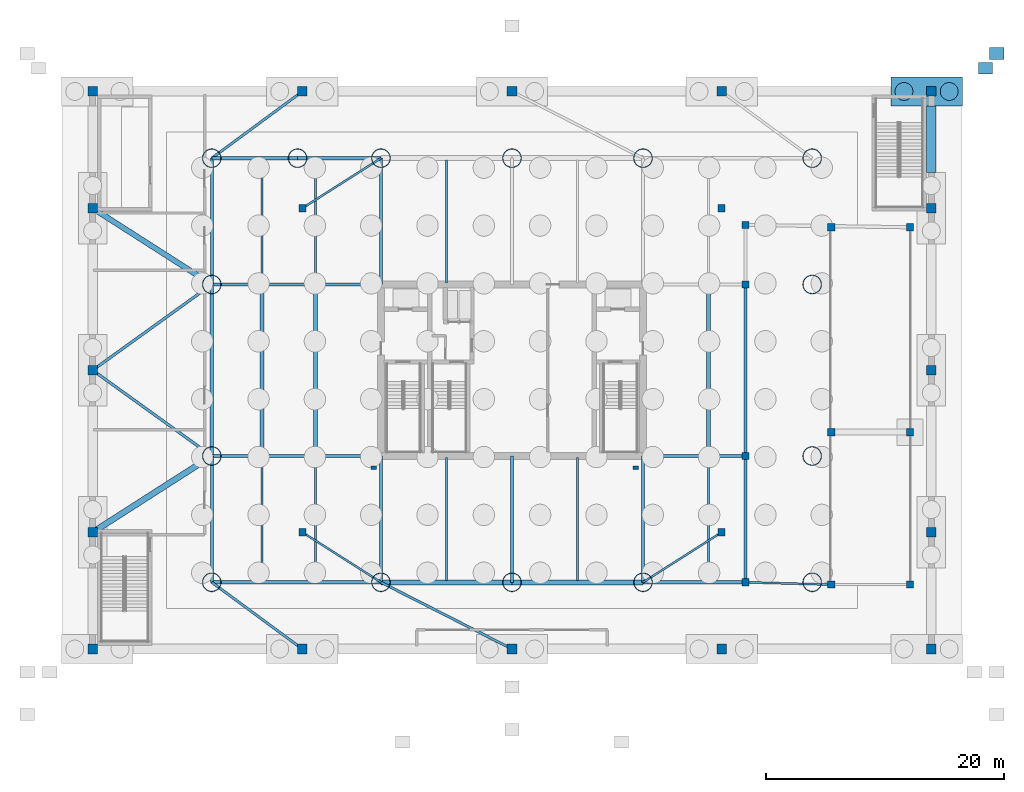
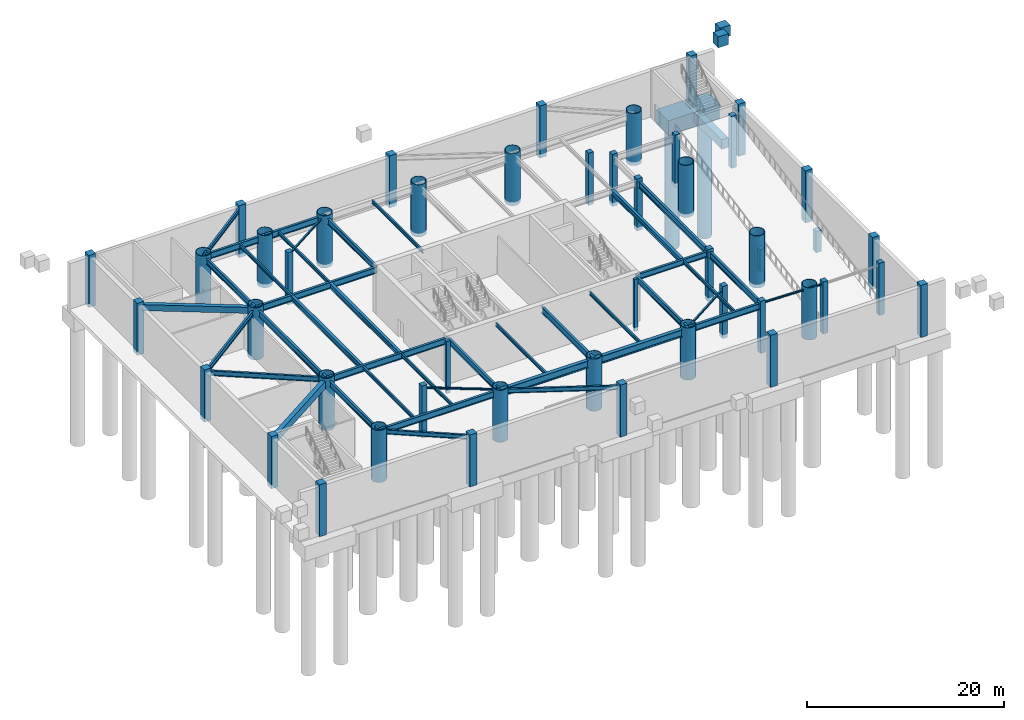
# One storey, part 2 of 12: 47 columns, 40 beams, 4 footings, 2 piles.
"""IFC4 building model written with IfcOpenShell, lengths in metres."""

from ifc_helpers import new_model, si_unit, direction, frame, origin, origin_2d, place, context, subcontext, project, spatial, polyline, rectangle, circle, hollow_circle, i_section, outline, extrude, material, layer, layer_set, material_profile, profile_set, type_object, element, save


model = new_model("IFC4")

# Units and contexts
model_context = context("Model", 3, precision=1e-05, world=origin(), true_north=direction((0.0, 1.0)))
body_context = subcontext(model_context, "Body", "Model", "MODEL_VIEW")
ifc_project = project(units=[si_unit("LENGTHUNIT", "METRE"), si_unit("AREAUNIT", "SQUARE_METRE"), si_unit("VOLUMEUNIT", "CUBIC_METRE"), si_unit("PLANEANGLEUNIT", "RADIAN"), si_unit("MASSUNIT", "GRAM", prefix="KILO")], contexts=[model_context])

# Site, building, storey
site_placement = place(None, origin())
site = spatial("IfcSite", under=ifc_project, at=site_placement, CompositionType="ELEMENT")
building_placement = place(site_placement, origin())
building = spatial("IfcBuilding", under=site, at=building_placement, Name="Bramvorn Convention Spire", CompositionType="ELEMENT")
storey_placement = place(building_placement, frame((0.0, 0.0, -6.0)))
storey = spatial("IfcBuildingStorey", under=building, at=storey_placement, Name="B1", CompositionType="ELEMENT", Elevation=-6.0)

# Footings
ifc_material_1 = material(Name="Concrete C40/50 Frost Apron Foundation", Category="concrete")
ifc_layer_1 = layer(ifc_material_1, 1.35009765625)
ifc_layer_set_1 = layer_set([ifc_layer_1], Name="Concrete C40/50 Frost Apron Foundation - FTG-APRON-FROST")
footing_type_1 = type_object("IfcFootingType", Name="FTG-APRON-FROST", PredefinedType="PAD_FOOTING", material=ifc_layer_set_1)
for number, where, z_axis, x_axis, name in (
    (1, (78.699951171875, 52.60009765625, 4.39990234375), (0.0, 0.0, 1.0), (1.0, 0.0, 0.0), "Exterior entrance apron frost pier 2.2"),
    (2, (77.75, 51.35009765625, 4.39990234375), (0.0, 0.0, 1.0), (1.0, 0.0, 0.0), "Exterior entrance apron frost pier 4.3"),
):
    element("IfcFooting", number, at=place(storey_placement, frame(where, z_axis=z_axis, x_axis=x_axis)), inside=storey, type_object=footing_type_1, Name=name, PredefinedType="PAD_FOOTING", context=body_context, shape_type="SweptSolid", body=[
        extrude(rectangle(XDim=1.199951171875, YDim=1.0, at=origin_2d()), origin(), (0.0, 0.0, 1.0), 1.35009765625),
    ])
ifc_material_2 = material(Name="Concrete C60/70", Category="concrete")
ifc_layer_2 = layer(ifc_material_2, 1.199951171875)
ifc_layer_set_2 = layer_set([ifc_layer_2], Name="Concrete C60/70 - FTG-GBEAM-800X1200")
footing_type_2 = type_object("IfcFootingType", Name="FTG-GBEAM-800X1200", PredefinedType="FOOTING_BEAM", material=ifc_layer_set_2)
footing_1_placement = place(storey_placement, frame((0.0, 0.0, -1.64990234375)))
element("IfcFooting", 3, at=footing_1_placement, inside=storey, type_object=footing_type_2, Name="Perimeter frost-depth grade beam GB-08", PredefinedType="FOOTING_BEAM", context=body_context, shape_type="SweptSolid", body=[
    extrude(outline(polyline([(72.800048828125, 42.60009765625), (73.60009765625, 42.60009765625), (73.60009765625, 48.199951171875), (72.800048828125, 48.199951171875), (72.800048828125, 42.60009765625)])), origin(), (0.0, 0.0, 1.0), 1.199951171875),
])
ifc_layer_3 = layer(ifc_material_2, 1.800048828125)
ifc_layer_set_3 = layer_set([ifc_layer_3], Name="Concrete C60/70 - FTG-PCAP-EW-1800")
footing_type_3 = type_object("IfcFootingType", Name="FTG-PCAP-EW-1800", PredefinedType="PILE_CAP", material=ifc_layer_set_3)
footing_2_placement = place(storey_placement, frame((72.800048828125, 49.39990234375, -2.25), z_axis=(0.0, 0.0, 1.0), x_axis=(1.0, 0.0, 0.0)))
element("IfcFooting", 4, at=footing_2_placement, inside=storey, type_object=footing_type_3, Name="Podium two-caisson cap PC10", PredefinedType="PILE_CAP", context=body_context, shape_type="SweptSolid", body=[
    extrude(rectangle(XDim=6.0, YDim=2.39990234375, at=origin_2d()), origin(), (0.0, 0.0, 1.0), 1.800048828125),
])

# Piles
ifc_material_profile_1 = material_profile(ifc_material_2, circle(Radius=0.75, at=origin_2d()))
ifc_profile_set_1 = profile_set([ifc_material_profile_1], Name="Concrete C60/70 - CAISSON1500")
pile_type = type_object("IfcPileType", Name="PILE-CAISSON-1500", PredefinedType="BORED", material=ifc_profile_set_1)
for number, where, z_axis, x_axis, name in (
    (5, (70.89990234375, 49.39990234375, -2.10009765625), (0.0, 0.0, -1.0), (1.0, 0.0, 0.0), "Podium rock-socketed caisson PC10-1"),
    (6, (74.699951171875, 49.39990234375, -2.10009765625), (0.0, 0.0, -1.0), (1.0, 0.0, 0.0), "Podium rock-socketed caisson PC10-2"),
):
    element("IfcPile", number, at=place(storey_placement, frame(where, z_axis=z_axis, x_axis=x_axis)), inside=storey, type_object=pile_type, Name=name, PredefinedType="BORED", context=body_context, shape_type="SweptSolid", body=[
        extrude(circle(Radius=0.75, at=origin_2d()), origin(), (0.0, 0.0, 1.0), 14.89990234375),
    ])

# Columns
ifc_material_3 = material(Name="Steel CSA G40.21 Grade 350 (350W)", Category="steel")
ifc_material_profile_2 = material_profile(ifc_material_3, hollow_circle(Radius=0.800048828125, WallThickness=0.06005859375, at=origin_2d()))
ifc_profile_set_2 = profile_set([ifc_material_profile_2], Name="Steel CSA G40.21 Grade 350 (350W) - CFT1600X60")
column_type_1 = type_object("IfcColumnType", Name="COL-CFT1600X60", PredefinedType="COLUMN", material=ifc_profile_set_2)
for number, where, z_axis, x_axis, name in (
    (7, (12.800048828125, 8.199951171875, -0.449951171875), (0.0, 0.0, 1.0), (1.0, 0.0, 0.0), "B1 podium transfer mega-column PR01"),
    (8, (27.0, 8.199951171875, -0.449951171875), (0.0, 0.0, 1.0), (1.0, 0.0, 0.0), "B1 podium transfer mega-column PR02"),
    (9, (38.0, 8.199951171875, -0.449951171875), (0.0, 0.0, 1.0), (1.0, 0.0, 0.0), "B1 podium transfer mega-column PR13"),
    (10, (49.0, 8.199951171875, -0.449951171875), (0.0, 0.0, 1.0), (1.0, 0.0, 0.0), "B1 podium transfer mega-column PR03"),
    (11, (63.199951171875, 8.199951171875, -0.449951171875), (0.0, 0.0, 1.0), (1.0, 0.0, 0.0), "B1 podium transfer mega-column PR04"),
    (12, (12.800048828125, 18.800048828125, -0.449951171875), (0.0, 0.0, 1.0), (1.0, 0.0, 0.0), "B1 podium transfer mega-column PR05"),
    (13, (63.199951171875, 18.800048828125, -0.449951171875), (0.0, 0.0, 1.0), (1.0, 0.0, 0.0), "B1 podium transfer mega-column PR06"),
    (14, (12.800048828125, 33.199951171875, -0.449951171875), (0.0, 0.0, 1.0), (1.0, 0.0, 0.0), "B1 podium transfer mega-column PR07"),
    (15, (63.199951171875, 33.199951171875, -0.449951171875), (0.0, 0.0, 1.0), (1.0, 0.0, 0.0), "B1 podium transfer mega-column PR08"),
    (16, (12.800048828125, 43.800048828125, -0.449951171875), (0.0, 0.0, 1.0), (1.0, 0.0, 0.0), "B1 podium transfer mega-column PR09"),
    (17, (20.0, 43.800048828125, -0.449951171875), (0.0, 0.0, 1.0), (1.0, 0.0, 0.0), "B1 podium transfer mega-column PR15"),
    (18, (27.0, 43.800048828125, -0.449951171875), (0.0, 0.0, 1.0), (1.0, 0.0, 0.0), "B1 podium transfer mega-column PR10"),
    (19, (38.0, 43.800048828125, -0.449951171875), (0.0, 0.0, 1.0), (1.0, 0.0, 0.0), "B1 podium transfer mega-column PR14"),
    (20, (49.0, 43.800048828125, -0.449951171875), (0.0, 0.0, 1.0), (1.0, 0.0, 0.0), "B1 podium transfer mega-column PR11"),
    (21, (63.199951171875, 43.800048828125, -0.449951171875), (0.0, 0.0, 1.0), (1.0, 0.0, 0.0), "B1 podium transfer mega-column PR12"),
):
    element("IfcColumn", number, at=place(storey_placement, frame(where, z_axis=z_axis, x_axis=x_axis)), inside=storey, type_object=column_type_1, Name=name, PredefinedType="COLUMN", context=body_context, shape_type="SweptSolid", body=[
        extrude(hollow_circle(Radius=0.800048828125, WallThickness=0.06005859375, at=origin_2d()), origin(), (0.0, 0.0, 1.0), 6.449951171875),
    ])
ifc_material_4 = material(Name="Concrete C40/50 Precast Limestone Pilaster", Category="masonry")
ifc_material_profile_3 = material_profile(ifc_material_4, rectangle(XDim=0.449951171875, YDim=0.300048828125, at=origin_2d()))
ifc_profile_set_3 = profile_set([ifc_material_profile_3], Name="Concrete C40/50 Precast Limestone Pilaster - PILASTER450X300")
column_type_2 = type_object("IfcColumnType", Name="COL-PILASTER-450", PredefinedType="PILASTER", material=ifc_profile_set_3)
for number, where, z_axis, x_axis, name in (
    (22, (26.39990234375, 17.800048828125, -0.449951171875), (0.0, 0.0, 1.0), (1.0, 0.0, 0.0), "B1 pilaster foundation base 1"),
    (23, (48.39990234375, 17.800048828125, -0.449951171875), (0.0, 0.0, 1.0), (1.0, 0.0, 0.0), "B1 pilaster foundation base 2"),
):
    element("IfcColumn", number, at=place(storey_placement, frame(where, z_axis=z_axis, x_axis=x_axis)), inside=storey, type_object=column_type_2, Name=name, PredefinedType="PILASTER", context=body_context, shape_type="SweptSolid", body=[
        extrude(rectangle(XDim=0.449951171875, YDim=0.300048828125, at=origin_2d()), origin(), (0.0, 0.0, 1.0), 6.449951171875),
    ])
ifc_material_profile_4 = material_profile(ifc_material_2, rectangle(XDim=0.60009765625, YDim=0.60009765625, at=origin_2d()))
ifc_profile_set_4 = profile_set([ifc_material_profile_4], Name="Concrete C60/70 - RC600X600")
column_type_3 = type_object("IfcColumnType", Name="COL-RC600X600", PredefinedType="COLUMN", material=ifc_profile_set_4)
for number, where, z_axis, x_axis, name in (
    (24, (57.60009765625, 8.199951171875, -0.449951171875), (0.0, 0.0, 1.0), (1.0, 0.0, 0.0), "B1 ramp support column 1"),
    (25, (57.60009765625, 18.800048828125, -0.449951171875), (0.0, 0.0, 1.0), (1.0, 0.0, 0.0), "B1 ramp support column 2"),
    (26, (57.60009765625, 33.199951171875, -0.449951171875), (0.0, 0.0, 1.0), (1.0, 0.0, 0.0), "B1 ramp support column 3"),
    (27, (57.60009765625, 38.199951171875, -0.449951171875), (0.0, 0.0, 1.0), (1.0, 0.0, 0.0), "B1 ramp support column 4"),
    (28, (64.800048828125, 8.0, -0.449951171875), (0.0, 0.0, 1.0), (1.0, 0.0, 0.0), "B1 ramp support column 5"),
    (29, (71.39990234375, 8.0, -0.449951171875), (0.0, 0.0, 1.0), (1.0, 0.0, 0.0), "B1 ramp support column 6"),
    (30, (64.800048828125, 38.0, -0.449951171875), (0.0, 0.0, 1.0), (1.0, 0.0, 0.0), "B1 ramp support column 7"),
    (31, (71.39990234375, 38.0, -0.449951171875), (0.0, 0.0, 1.0), (1.0, 0.0, 0.0), "B1 ramp support column 8"),
    (32, (20.39990234375, 12.39990234375, -0.449951171875), (0.0, 0.0, 1.0), (1.0, 0.0, 0.0), "B1 auxiliary structural column CP-B1-1"),
    (33, (55.60009765625, 12.39990234375, -0.449951171875), (0.0, 0.0, 1.0), (1.0, 0.0, 0.0), "B1 auxiliary structural column CP-B1-2"),
    (34, (20.39990234375, 39.60009765625, -0.449951171875), (0.0, 0.0, 1.0), (1.0, 0.0, 0.0), "B1 auxiliary structural column CP-B1-3"),
    (35, (55.60009765625, 39.60009765625, -0.449951171875), (0.0, 0.0, 1.0), (1.0, 0.0, 0.0), "B1 auxiliary structural column CP-B1-4"),
):
    element("IfcColumn", number, at=place(storey_placement, frame(where, z_axis=z_axis, x_axis=x_axis)), inside=storey, type_object=column_type_3, Name=name, PredefinedType="COLUMN", context=body_context, shape_type="SweptSolid", body=[
        extrude(rectangle(XDim=0.60009765625, YDim=0.60009765625, at=origin_2d()), origin(), (0.0, 0.0, 1.0), 6.449951171875),
    ])
for number, where, z_axis, x_axis, name in (
    (36, (64.800048828125, 20.800048828125, -0.449951171875), (0.0, 0.0, 1.0), (1.0, 0.0, 0.0), "B1 vehicle ramp midspan west column"),
    (37, (71.39990234375, 20.800048828125, -0.449951171875), (0.0, 0.0, 1.0), (1.0, 0.0, 0.0), "B1 vehicle ramp midspan east column"),
):
    element("IfcColumn", number, at=place(storey_placement, frame(where, z_axis=z_axis, x_axis=x_axis)), inside=storey, type_object=column_type_3, Name=name, PredefinedType="COLUMN", context=body_context, shape_type="SweptSolid", body=[
        extrude(rectangle(XDim=0.60009765625, YDim=0.60009765625, at=origin_2d()), origin(), (0.0, 0.0, 1.0), 2.659912109375),
    ])
ifc_material_profile_5 = material_profile(ifc_material_2, rectangle(XDim=0.800048828125, YDim=0.800048828125, at=origin_2d()))
ifc_profile_set_5 = profile_set([ifc_material_profile_5], Name="Concrete C60/70 - RC800X800")
column_type_4 = type_object("IfcColumnType", Name="COL-RC800X800", PredefinedType="COLUMN", material=ifc_profile_set_5)
for number, where, z_axis, x_axis, name in (
    (38, (2.800048828125, 2.60009765625, -0.449951171875), (0.0, 0.0, 1.0), (1.0, 0.0, 0.0), "B1 podium perimeter column PC01"),
    (39, (2.800048828125, 12.39990234375, -0.449951171875), (0.0, 0.0, 1.0), (1.0, 0.0, 0.0), "B1 podium perimeter column PC02"),
    (40, (2.800048828125, 26.0, -0.449951171875), (0.0, 0.0, 1.0), (1.0, 0.0, 0.0), "B1 podium perimeter column PC03"),
    (41, (2.800048828125, 39.60009765625, -0.449951171875), (0.0, 0.0, 1.0), (1.0, 0.0, 0.0), "B1 podium perimeter column PC04"),
    (42, (2.800048828125, 49.39990234375, -0.449951171875), (0.0, 0.0, 1.0), (1.0, 0.0, 0.0), "B1 podium perimeter column PC05"),
    (43, (73.199951171875, 2.60009765625, -0.449951171875), (0.0, 0.0, 1.0), (1.0, 0.0, 0.0), "B1 podium perimeter column PC06"),
    (44, (73.199951171875, 12.39990234375, -0.449951171875), (0.0, 0.0, 1.0), (1.0, 0.0, 0.0), "B1 podium perimeter column PC07"),
    (45, (73.199951171875, 26.0, -0.449951171875), (0.0, 0.0, 1.0), (1.0, 0.0, 0.0), "B1 podium perimeter column PC08"),
    (46, (73.199951171875, 39.60009765625, -0.449951171875), (0.0, 0.0, 1.0), (1.0, 0.0, 0.0), "B1 podium perimeter column PC09"),
    (47, (73.199951171875, 49.39990234375, -0.449951171875), (0.0, 0.0, 1.0), (1.0, 0.0, 0.0), "B1 podium perimeter column PC10"),
    (48, (20.39990234375, 2.60009765625, -0.449951171875), (0.0, 0.0, 1.0), (1.0, 0.0, 0.0), "B1 podium perimeter column PC11"),
    (49, (38.0, 2.60009765625, -0.449951171875), (0.0, 0.0, 1.0), (1.0, 0.0, 0.0), "B1 podium perimeter column PC12"),
    (50, (55.60009765625, 2.60009765625, -0.449951171875), (0.0, 0.0, 1.0), (1.0, 0.0, 0.0), "B1 podium perimeter column PC13"),
    (51, (20.39990234375, 49.39990234375, -0.449951171875), (0.0, 0.0, 1.0), (1.0, 0.0, 0.0), "B1 podium perimeter column PC14"),
    (52, (38.0, 49.39990234375, -0.449951171875), (0.0, 0.0, 1.0), (1.0, 0.0, 0.0), "B1 podium perimeter column PC15"),
    (53, (55.60009765625, 49.39990234375, -0.449951171875), (0.0, 0.0, 1.0), (1.0, 0.0, 0.0), "B1 podium perimeter column PC16"),
):
    element("IfcColumn", number, at=place(storey_placement, frame(where, z_axis=z_axis, x_axis=x_axis)), inside=storey, type_object=column_type_4, Name=name, PredefinedType="COLUMN", context=body_context, shape_type="SweptSolid", body=[
        extrude(rectangle(XDim=0.800048828125, YDim=0.800048828125, at=origin_2d()), origin(), (0.0, 0.0, 1.0), 6.449951171875),
    ])

# Beams
ifc_material_5 = material(Name="Concrete C50/60", Category="concrete")
ifc_material_profile_6 = material_profile(ifc_material_5, rectangle(XDim=0.449951171875, YDim=0.75, at=origin_2d()))
ifc_profile_set_6 = profile_set([ifc_material_profile_6], Name="Concrete C50/60 - RC450X750")
beam_type_1 = type_object("IfcBeamType", Name="BM-RC450X750", PredefinedType="BEAM", material=ifc_profile_set_6)
beam_1_placement = place(storey_placement, frame((2.800048828125, 39.60009765625, 5.27490234375), z_axis=(0.842265798855, -0.539062449145, 0.0), x_axis=(0.539062449145, 0.842265798855, 0.0)))
element("IfcBeam", 54, at=beam_1_placement, inside=storey, type_object=beam_type_1, Name="B1 reinforced concrete marshalling tie beam 2", PredefinedType="BEAM", context=body_context, shape_type="SweptSolid", body=[
    extrude(rectangle(XDim=0.449951171875, YDim=0.75, at=origin_2d()), origin(), (0.0, 0.0, 1.0), 11.872802734375),
])
ifc_material_profile_7 = material_profile(ifc_material_5, rectangle(XDim=0.5, YDim=0.89990234375, at=origin_2d()))
ifc_profile_set_7 = profile_set([ifc_material_profile_7], Name="Concrete C50/60 - RC500X900")
beam_type_2 = type_object("IfcBeamType", Name="BM-RC500X900", PredefinedType="BEAM", material=ifc_profile_set_7)
beam_2_placement = place(storey_placement, frame((2.800048828125, 12.39990234375, 5.199951171875), z_axis=(0.842265798855, 0.539062449145, 0.0), x_axis=(-0.539062449145, 0.842265798855, 0.0)))
element("IfcBeam", 55, at=beam_2_placement, inside=storey, type_object=beam_type_2, Name="B1 reinforced concrete marshalling tie beam 1", PredefinedType="BEAM", context=body_context, shape_type="SweptSolid", body=[
    extrude(rectangle(XDim=0.5, YDim=0.89990234375, at=origin_2d()), origin(), (0.0, 0.0, 1.0), 11.872802734375),
])
ifc_material_profile_8 = material_profile(ifc_material_3, i_section(OverallWidth=0.1650390625, OverallDepth=0.200927734375, WebThickness=0.006103515625, FlangeThickness=0.01025390625, FilletRadius=0.010009765625, at=origin_2d()))
ifc_profile_set_8 = profile_set([ifc_material_profile_8], Name="Steel CSA G40.21 Grade 350 (350W) - W200X36")
beam_type_3 = type_object("IfcBeamType", Name="BM-W200X36", PredefinedType="LINTEL", material=ifc_profile_set_8)
beam_3_placement = place(storey_placement, frame((57.60009765625, 8.199951171875, 5.549560546875), z_axis=(0.999614603568, -0.027760481514, 0.0), x_axis=(0.027760481514, 0.999614603568, 0.0)))
element("IfcBeam", 56, at=beam_3_placement, inside=storey, type_object=beam_type_3, Name="B1 equipment bay header lintel 2", PredefinedType="LINTEL", context=body_context, shape_type="SweptSolid", body=[
    extrude(i_section(OverallWidth=0.1650390625, OverallDepth=0.200927734375, WebThickness=0.006103515625, FlangeThickness=0.01025390625, FilletRadius=0.010009765625, at=origin_2d()), origin(), (0.0, 0.0, 1.0), 7.20263671875),
])
for number, where, z_axis, x_axis, name in (
    (57, (20.39990234375, 12.39990234375, 5.549560546875), (0.843667912778, -0.536865395558, 0.0), (0.536865395558, 0.843667912778, 0.0), "B1 equipment bay header lintel 3"),
    (58, (49.0, 8.199951171875, 5.549560546875), (0.843667912778, 0.536865395558, 0.0), (-0.536865395558, 0.843667912778, 0.0), "B1 equipment bay header lintel 4"),
    (59, (20.39990234375, 39.60009765625, 5.549560546875), (0.843667912778, 0.536865395558, 0.0), (-0.536865395558, 0.843667912778, 0.0), "B1 equipment bay header lintel 5"),
):
    element("IfcBeam", number, at=place(storey_placement, frame(where, z_axis=z_axis, x_axis=x_axis)), inside=storey, type_object=beam_type_3, Name=name, PredefinedType="LINTEL", context=body_context, shape_type="SweptSolid", body=[
        extrude(i_section(OverallWidth=0.1650390625, OverallDepth=0.200927734375, WebThickness=0.006103515625, FlangeThickness=0.01025390625, FilletRadius=0.010009765625, at=origin_2d()), origin(), (0.0, 0.0, 1.0), 7.822998046875),
    ])
ifc_material_profile_9 = material_profile(ifc_material_3, i_section(OverallWidth=0.180908203125, OverallDepth=0.4169921875, WebThickness=0.010986328125, FlangeThickness=0.018310546875, FilletRadius=0.01611328125, at=origin_2d()))
ifc_profile_set_9 = profile_set([ifc_material_profile_9], Name="Steel CSA G40.21 Grade 350 (350W) - W410X85")
beam_type_4 = type_object("IfcBeamType", Name="BM-W410X85", PredefinedType="JOIST", material=ifc_profile_set_9)
for number, where, z_axis, x_axis, name in (
    (60, (17.0, 8.340087890625, 5.44140625), (0.0, 1.0, 0.0), (-1.0, 0.0, 0.0), "B1 side hall joist S-1"),
    (61, (17.0, 33.340087890625, 5.44140625), (0.0, 1.0, 0.0), (-1.0, 0.0, 0.0), "B1 side hall joist N-1"),
    (62, (21.5, 8.340087890625, 5.44140625), (0.0, 1.0, 0.0), (-1.0, 0.0, 0.0), "B1 side hall joist S-2"),
    (63, (21.5, 33.340087890625, 5.44140625), (0.0, 1.0, 0.0), (-1.0, 0.0, 0.0), "B1 side hall joist N-2"),
    (64, (32.5, 8.340087890625, 5.44140625), (0.0, 1.0, 0.0), (-1.0, 0.0, 0.0), "B1 south hall composite joist 3"),
    (65, (32.5, 33.340087890625, 5.44140625), (0.0, 1.0, 0.0), (-1.0, 0.0, 0.0), "B1 north hall composite joist 3"),
    (66, (43.5, 8.340087890625, 5.44140625), (0.0, 1.0, 0.0), (-1.0, 0.0, 0.0), "B1 south hall composite joist 4"),
    (67, (54.5, 8.340087890625, 5.44140625), (0.0, 1.0, 0.0), (-1.0, 0.0, 0.0), "B1 side hall joist S-5"),
):
    element("IfcBeam", number, at=place(storey_placement, frame(where, z_axis=z_axis, x_axis=x_axis)), inside=storey, type_object=beam_type_4, Name=name, PredefinedType="JOIST", context=body_context, shape_type="SweptSolid", body=[
        extrude(i_section(OverallWidth=0.180908203125, OverallDepth=0.4169921875, WebThickness=0.010986328125, FlangeThickness=0.018310546875, FilletRadius=0.01611328125, at=origin_2d()), origin(), (0.0, 0.0, 1.0), 10.31982421875),
    ])
ifc_material_profile_10 = material_profile(ifc_material_3, i_section(OverallWidth=0.2119140625, OverallDepth=0.5439453125, WebThickness=0.01318359375, FlangeThickness=0.021240234375, FilletRadius=0.01904296875, at=origin_2d()))
ifc_profile_set_10 = profile_set([ifc_material_profile_10], Name="Steel CSA G40.21 Grade 350 (350W) - W530X123")
beam_type_5 = type_object("IfcBeamType", Name="BM-W530X123", PredefinedType="BEAM", material=ifc_profile_set_10)
beam_4_placement = place(storey_placement, frame((20.39990234375, 2.60009765625, 5.3779296875), z_axis=(-0.805057787445, 0.593196391488, 0.0), x_axis=(-0.593196391488, -0.805057787445, 0.0)))
element("IfcBeam", 68, at=beam_4_placement, inside=storey, type_object=beam_type_5, Name="B1 podium primary girder 28", PredefinedType="BEAM", context=body_context, shape_type="SweptSolid", body=[
    extrude(i_section(OverallWidth=0.2119140625, OverallDepth=0.5439453125, WebThickness=0.01318359375, FlangeThickness=0.021240234375, FilletRadius=0.01904296875, at=origin_2d()), origin(), (0.0, 0.0, 1.0), 9.440185546875),
])
beam_5_placement = place(storey_placement, frame((38.0, 2.60009765625, 5.3779296875), z_axis=(-0.891167913636, 0.453673615835, 0.0), x_axis=(-0.453673615835, -0.891167913636, 0.0)))
element("IfcBeam", 69, at=beam_5_placement, inside=storey, type_object=beam_type_5, Name="B1 podium primary girder 29", PredefinedType="BEAM", context=body_context, shape_type="SweptSolid", body=[
    extrude(i_section(OverallWidth=0.2119140625, OverallDepth=0.5439453125, WebThickness=0.01318359375, FlangeThickness=0.021240234375, FilletRadius=0.01904296875, at=origin_2d()), origin(), (0.0, 0.0, 1.0), 12.34326171875),
])
beam_6_placement = place(storey_placement, frame((20.39990234375, 49.39990234375, 5.3779296875), z_axis=(-0.805057787445, -0.593196391488, 0.0), x_axis=(0.593196391488, -0.805057787445, 0.0)))
element("IfcBeam", 70, at=beam_6_placement, inside=storey, type_object=beam_type_5, Name="B1 podium primary girder 31", PredefinedType="BEAM", context=body_context, shape_type="SweptSolid", body=[
    extrude(i_section(OverallWidth=0.2119140625, OverallDepth=0.5439453125, WebThickness=0.01318359375, FlangeThickness=0.021240234375, FilletRadius=0.01904296875, at=origin_2d()), origin(), (0.0, 0.0, 1.0), 9.440185546875),
])
ifc_material_profile_11 = material_profile(ifc_material_3, i_section(OverallWidth=0.22998046875, OverallDepth=0.616943359375, WebThickness=0.01318359375, FlangeThickness=0.022216796875, FilletRadius=0.02001953125, at=origin_2d()))
ifc_profile_set_11 = profile_set([ifc_material_profile_11], Name="Steel CSA G40.21 Grade 350 (350W) - W610X140")
beam_type_6 = type_object("IfcBeamType", Name="BM-W610X140", PredefinedType="BEAM", material=ifc_profile_set_11)
for number, where, z_axis, x_axis, name in (
    (71, (2.800048828125, 26.0, 5.341552734375), (0.811536220436, -0.584302116135, 0.0), (0.584302116135, 0.811536220436, 0.0), "B1 podium primary girder 26"),
    (72, (2.800048828125, 26.0, 5.341552734375), (0.811536220436, 0.584302116135, 0.0), (-0.584302116135, 0.811536220436, 0.0), "B1 podium primary girder 27"),
):
    element("IfcBeam", number, at=place(storey_placement, frame(where, z_axis=z_axis, x_axis=x_axis)), inside=storey, type_object=beam_type_6, Name=name, PredefinedType="BEAM", context=body_context, shape_type="SweptSolid", body=[
        extrude(i_section(OverallWidth=0.22998046875, OverallDepth=0.616943359375, WebThickness=0.01318359375, FlangeThickness=0.022216796875, FilletRadius=0.02001953125, at=origin_2d()), origin(), (0.0, 0.0, 1.0), 12.322265625),
    ])
ifc_material_profile_12 = material_profile(ifc_material_3, i_section(OverallWidth=0.327880859375, OverallDepth=0.6279296875, WebThickness=0.0166015625, FlangeThickness=0.027587890625, FilletRadius=0.02001953125, at=origin_2d()))
ifc_profile_set_12 = profile_set([ifc_material_profile_12], Name="Steel CSA G40.21 Grade 350 (350W) - W610X217")
beam_type_7 = type_object("IfcBeamType", Name="BM-W610X217", PredefinedType="BEAM", material=ifc_profile_set_12)
for number, where, z_axis, x_axis, name in (
    (73, (17.0, 18.93994140625, 5.3359375), (0.0, 1.0, 0.0), (-1.0, 0.0, 0.0), "B1 main exhibition clear-span joist M-1"),
    (74, (21.5, 18.93994140625, 5.3359375), (0.0, 1.0, 0.0), (-1.0, 0.0, 0.0), "B1 main exhibition clear-span joist M-2"),
    (75, (54.5, 18.93994140625, 5.3359375), (0.0, 1.0, 0.0), (-1.0, 0.0, 0.0), "B1 main exhibition clear-span joist M-5"),
):
    element("IfcBeam", number, at=place(storey_placement, frame(where, z_axis=z_axis, x_axis=x_axis)), inside=storey, type_object=beam_type_7, Name=name, PredefinedType="BEAM", context=body_context, shape_type="SweptSolid", body=[
        extrude(i_section(OverallWidth=0.327880859375, OverallDepth=0.6279296875, WebThickness=0.0166015625, FlangeThickness=0.027587890625, FilletRadius=0.02001953125, at=origin_2d()), origin(), (0.0, 0.0, 1.0), 14.1201171875),
    ])
ifc_material_profile_13 = material_profile(ifc_material_3, i_section(OverallWidth=0.256103515625, OverallDepth=0.693115234375, WebThickness=0.014404296875, FlangeThickness=0.023681640625, FilletRadius=0.02197265625, at=origin_2d()))
ifc_profile_set_13 = profile_set([ifc_material_profile_13], Name="Steel CSA G40.21 Grade 350 (350W) - W690X170")
beam_type_8 = type_object("IfcBeamType", Name="BM-W690X170", PredefinedType="BEAM", material=ifc_profile_set_13)
for number, where, z_axis, x_axis, name in (
    (76, (12.800048828125, 8.199951171875, 5.303466796875), (0.0, 1.0, 0.0), (-1.0, 0.0, 0.0), "B1 podium primary girder 12"),
    (77, (12.800048828125, 33.199951171875, 5.303466796875), (0.0, 1.0, 0.0), (-1.0, 0.0, 0.0), "B1 podium primary girder 14"),
    (78, (27.0, 8.199951171875, 5.303466796875), (0.0, 1.0, 0.0), (-1.0, 0.0, 0.0), "B1 podium primary girder 22"),
    (79, (49.0, 8.199951171875, 5.303466796875), (0.0, 1.0, 0.0), (-1.0, 0.0, 0.0), "B1 podium primary girder 23"),
    (80, (27.0, 33.199951171875, 5.303466796875), (0.0, 1.0, 0.0), (-1.0, 0.0, 0.0), "B1 podium primary girder 24"),
):
    element("IfcBeam", number, at=place(storey_placement, frame(where, z_axis=z_axis, x_axis=x_axis)), inside=storey, type_object=beam_type_8, Name=name, PredefinedType="BEAM", context=body_context, shape_type="SweptSolid", body=[
        extrude(i_section(OverallWidth=0.256103515625, OverallDepth=0.693115234375, WebThickness=0.014404296875, FlangeThickness=0.023681640625, FilletRadius=0.02197265625, at=origin_2d()), origin(), (0.0, 0.0, 1.0), 10.60009765625),
    ])
beam_7_placement = place(storey_placement, frame((49.0, 18.800048828125, 5.303466796875), z_axis=(1.0, 0.0, 0.0), x_axis=(0.0, 1.0, 0.0)))
element("IfcBeam", 81, at=beam_7_placement, inside=storey, type_object=beam_type_8, Name="B1 ramp tie girder S", PredefinedType="BEAM", context=body_context, shape_type="SweptSolid", body=[
    extrude(i_section(OverallWidth=0.256103515625, OverallDepth=0.693115234375, WebThickness=0.014404296875, FlangeThickness=0.023681640625, FilletRadius=0.02197265625, at=origin_2d()), origin(), (0.0, 0.0, 1.0), 8.60009765625),
])
ifc_material_profile_14 = material_profile(ifc_material_3, i_section(OverallWidth=0.27099609375, OverallDepth=0.76806640625, WebThickness=0.0166015625, FlangeThickness=0.02685546875, FilletRadius=0.02197265625, at=origin_2d()))
ifc_profile_set_14 = profile_set([ifc_material_profile_14], Name="Steel CSA G40.21 Grade 350 (350W) - W760X220")
beam_type_9 = type_object("IfcBeamType", Name="BM-W760X220", PredefinedType="BEAM", material=ifc_profile_set_14)
beam_8_placement = place(storey_placement, frame((12.800048828125, 8.199951171875, 5.26611328125), z_axis=(1.0, 0.0, 0.0), x_axis=(0.0, 1.0, 0.0)))
element("IfcBeam", 82, at=beam_8_placement, inside=storey, type_object=beam_type_9, Name="B1 podium primary girder 01", PredefinedType="BEAM", context=body_context, shape_type="SweptSolid", body=[
    extrude(i_section(OverallWidth=0.27099609375, OverallDepth=0.76806640625, WebThickness=0.0166015625, FlangeThickness=0.02685546875, FilletRadius=0.02197265625, at=origin_2d()), origin(), (0.0, 0.0, 1.0), 14.199951171875),
])
beam_9_placement = place(storey_placement, frame((12.800048828125, 43.800048828125, 5.26611328125), z_axis=(1.0, 0.0, 0.0), x_axis=(0.0, 1.0, 0.0)))
element("IfcBeam", 83, at=beam_9_placement, inside=storey, type_object=beam_type_9, Name="B1 podium primary girder 05", PredefinedType="BEAM", context=body_context, shape_type="SweptSolid", body=[
    extrude(i_section(OverallWidth=0.27099609375, OverallDepth=0.76806640625, WebThickness=0.0166015625, FlangeThickness=0.02685546875, FilletRadius=0.02197265625, at=origin_2d()), origin(), (0.0, 0.0, 1.0), 7.199951171875),
])
beam_10_placement = place(storey_placement, frame((20.0, 43.800048828125, 5.26611328125), z_axis=(1.0, 0.0, 0.0), x_axis=(0.0, 1.0, 0.0)))
element("IfcBeam", 84, at=beam_10_placement, inside=storey, type_object=beam_type_9, Name="B1 podium primary girder 06", PredefinedType="BEAM", context=body_context, shape_type="SweptSolid", body=[
    extrude(i_section(OverallWidth=0.27099609375, OverallDepth=0.76806640625, WebThickness=0.0166015625, FlangeThickness=0.02685546875, FilletRadius=0.02197265625, at=origin_2d()), origin(), (0.0, 0.0, 1.0), 7.0),
])
beam_11_placement = place(storey_placement, frame((38.0, 8.199951171875, 5.26611328125), z_axis=(0.0, 1.0, 0.0), x_axis=(-1.0, 0.0, 0.0)))
element("IfcBeam", 85, at=beam_11_placement, inside=storey, type_object=beam_type_9, Name="B1 podium primary girder 09", PredefinedType="BEAM", context=body_context, shape_type="SweptSolid", body=[
    extrude(i_section(OverallWidth=0.27099609375, OverallDepth=0.76806640625, WebThickness=0.0166015625, FlangeThickness=0.02685546875, FilletRadius=0.02197265625, at=origin_2d()), origin(), (0.0, 0.0, 1.0), 10.60009765625),
])
beam_12_placement = place(storey_placement, frame((12.800048828125, 18.800048828125, 5.26611328125), z_axis=(0.0, 1.0, 0.0), x_axis=(-1.0, 0.0, 0.0)))
element("IfcBeam", 86, at=beam_12_placement, inside=storey, type_object=beam_type_9, Name="B1 podium primary girder 13", PredefinedType="BEAM", context=body_context, shape_type="SweptSolid", body=[
    extrude(i_section(OverallWidth=0.27099609375, OverallDepth=0.76806640625, WebThickness=0.0166015625, FlangeThickness=0.02685546875, FilletRadius=0.02197265625, at=origin_2d()), origin(), (0.0, 0.0, 1.0), 14.39990234375),
])
for number, where, z_axis, x_axis, name in (
    (87, (12.800048828125, 18.800048828125, 5.26611328125), (1.0, 0.0, 0.0), (0.0, 1.0, 0.0), "B1 podium primary girder 18"),
    (88, (12.800048828125, 33.199951171875, 5.26611328125), (1.0, 0.0, 0.0), (0.0, 1.0, 0.0), "B1 podium primary girder 20"),
):
    element("IfcBeam", number, at=place(storey_placement, frame(where, z_axis=z_axis, x_axis=x_axis)), inside=storey, type_object=beam_type_9, Name=name, PredefinedType="BEAM", context=body_context, shape_type="SweptSolid", body=[
        extrude(i_section(OverallWidth=0.27099609375, OverallDepth=0.76806640625, WebThickness=0.0166015625, FlangeThickness=0.02685546875, FilletRadius=0.02197265625, at=origin_2d()), origin(), (0.0, 0.0, 1.0), 14.199951171875),
    ])
beam_13_placement = place(storey_placement, frame((49.0, 8.199951171875, 5.26611328125), z_axis=(1.0, 0.0, 0.0), x_axis=(0.0, 1.0, 0.0)))
element("IfcBeam", 89, at=beam_13_placement, inside=storey, type_object=beam_type_9, Name="B1 ramp south header girder", PredefinedType="BEAM", context=body_context, shape_type="SweptSolid", body=[
    extrude(i_section(OverallWidth=0.27099609375, OverallDepth=0.76806640625, WebThickness=0.0166015625, FlangeThickness=0.02685546875, FilletRadius=0.02197265625, at=origin_2d()), origin(), (0.0, 0.0, 1.0), 8.60009765625),
])
beam_14_placement = place(storey_placement, frame((57.60009765625, 8.199951171875, 5.26611328125), z_axis=(0.0, 1.0, 0.0), x_axis=(-1.0, 0.0, 0.0)))
element("IfcBeam", 90, at=beam_14_placement, inside=storey, type_object=beam_type_9, Name="B1 ramp west trimmer 1", PredefinedType="BEAM", context=body_context, shape_type="SweptSolid", body=[
    extrude(i_section(OverallWidth=0.27099609375, OverallDepth=0.76806640625, WebThickness=0.0166015625, FlangeThickness=0.02685546875, FilletRadius=0.02197265625, at=origin_2d()), origin(), (0.0, 0.0, 1.0), 10.60009765625),
])
beam_15_placement = place(storey_placement, frame((57.60009765625, 18.800048828125, 5.26611328125), z_axis=(0.0, 1.0, 0.0), x_axis=(-1.0, 0.0, 0.0)))
element("IfcBeam", 91, at=beam_15_placement, inside=storey, type_object=beam_type_9, Name="B1 ramp west trimmer 2", PredefinedType="BEAM", context=body_context, shape_type="SweptSolid", body=[
    extrude(i_section(OverallWidth=0.27099609375, OverallDepth=0.76806640625, WebThickness=0.0166015625, FlangeThickness=0.02685546875, FilletRadius=0.02197265625, at=origin_2d()), origin(), (0.0, 0.0, 1.0), 14.39990234375),
])
ifc_material_profile_15 = material_profile(ifc_material_3, i_section(OverallWidth=0.41796875, OverallDepth=0.912109375, WebThickness=0.019287109375, FlangeThickness=0.031982421875, FilletRadius=0.02392578125, at=origin_2d()))
ifc_profile_set_15 = profile_set([ifc_material_profile_15], Name="Steel CSA G40.21 Grade 350 (350W) - W920X342")
beam_type_10 = type_object("IfcBeamType", Name="BM-W920X342", PredefinedType="BEAM", material=ifc_profile_set_15)
for number, where, z_axis, x_axis, name in (
    (92, (27.0, 8.199951171875, 5.194091796875), (1.0, 0.0, 0.0), (0.0, 1.0, 0.0), "B1 podium primary girder 02"),
    (93, (38.0, 8.199951171875, 5.194091796875), (1.0, 0.0, 0.0), (0.0, 1.0, 0.0), "B1 podium primary girder 03"),
):
    element("IfcBeam", number, at=place(storey_placement, frame(where, z_axis=z_axis, x_axis=x_axis)), inside=storey, type_object=beam_type_10, Name=name, PredefinedType="BEAM", context=body_context, shape_type="SweptSolid", body=[
        extrude(i_section(OverallWidth=0.41796875, OverallDepth=0.912109375, WebThickness=0.019287109375, FlangeThickness=0.031982421875, FilletRadius=0.02392578125, at=origin_2d()), origin(), (0.0, 0.0, 1.0), 11.0),
    ])

save(model, "model.ifc")
